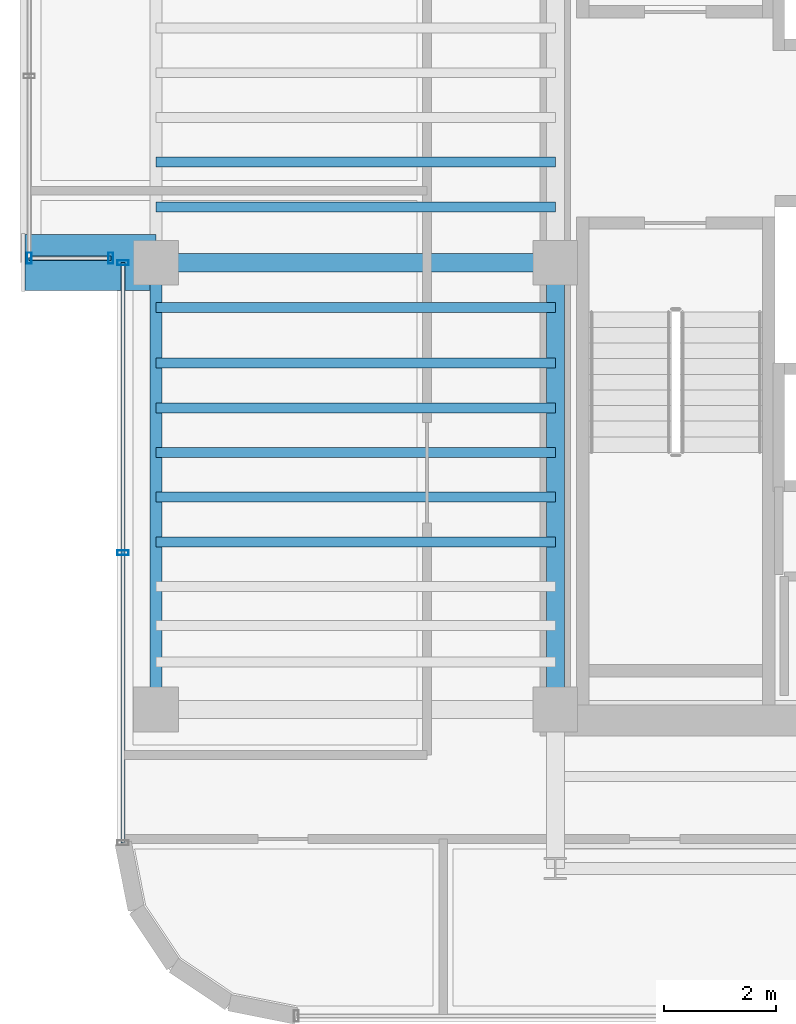
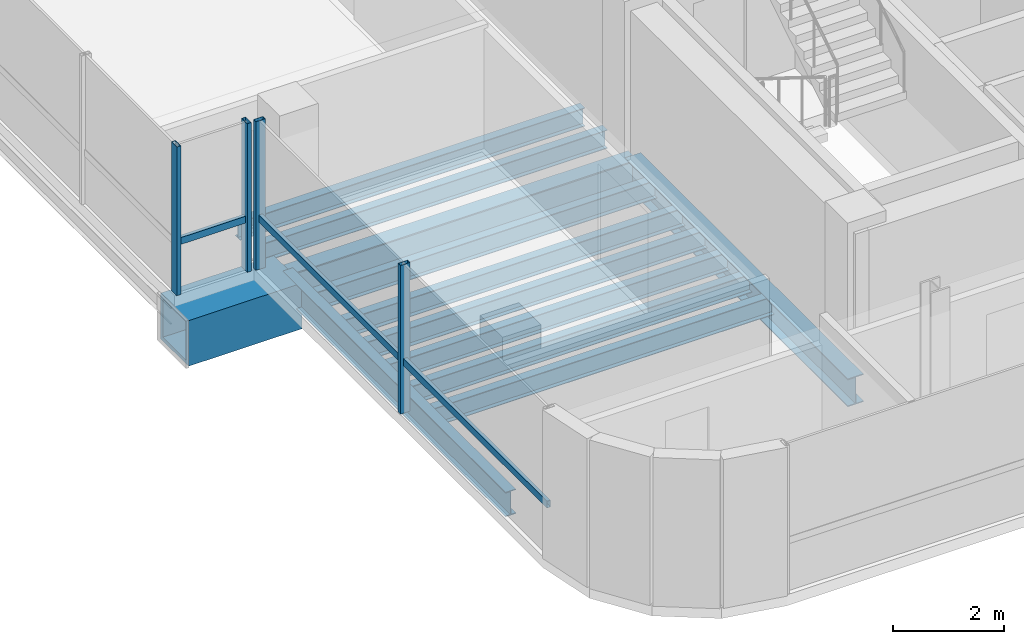
# One storey, part 4 of 18: 12 beams, 6 members, 2 elements without a shape of their own.
"""IFC4 building model written with IfcOpenShell, lengths in metres."""

from ifc_helpers import new_model, si_unit, direction, frame, origin, origin_2d, place, context, subcontext, project, spatial, hollow_rectangle, i_section, extrude, source, transform, mapped, material, material_profile, profile_set, type_object, element, aggregate, save


model = new_model("IFC4")

# Units and contexts
model_context = context("Model", 3, precision=1e-05, world=origin(), true_north=direction((0.0, 1.0)))
body_context = subcontext(model_context, "Body", "Model", "MODEL_VIEW")
ifc_project = project(units=[si_unit("LENGTHUNIT", "METRE"), si_unit("AREAUNIT", "SQUARE_METRE"), si_unit("VOLUMEUNIT", "CUBIC_METRE"), si_unit("PLANEANGLEUNIT", "RADIAN"), si_unit("MASSUNIT", "GRAM", prefix="KILO")], contexts=[model_context])

# Site, building, storey
site_placement = place(None, origin())
site = spatial("IfcSite", under=ifc_project, at=site_placement, CompositionType="ELEMENT")
building_placement = place(site_placement, origin())
building = spatial("IfcBuilding", under=site, at=building_placement, Name="Valdorenza Pilgrim Sanctuary Tower", CompositionType="ELEMENT")
storey_placement = place(building_placement, frame((0.0, 0.0, 273.0)))
storey = spatial("IfcBuildingStorey", under=building, at=storey_placement, Name="L71", CompositionType="ELEMENT", Elevation=273.0)

# Beams
ifc_material_1 = material(Name="Steel ASTM A992 Grade 50", Category="steel")
ifc_material_profile_1 = material_profile(ifc_material_1, i_section(OverallWidth=0.323974609375, OverallDepth=0.611083984375, WebThickness=0.0126953125, FlangeThickness=0.01904296875, at=origin_2d()), Name="W24X104")
ifc_profile_set_1 = profile_set([ifc_material_profile_1], Name="Steel ASTM A992 Grade 50")
beam_type_1 = type_object("IfcBeamType", Name="STR-BM-GRD-W24B", PredefinedType="BEAM", material=ifc_profile_set_1)
shared_shape_1 = source(origin(), body_context, "Body", "SweptSolid", [
    extrude(i_section(OverallWidth=0.323974609375, OverallDepth=0.611083984375, WebThickness=0.0126953125, FlangeThickness=0.01904296875, at=origin_2d()), origin(), (0.0, 0.0, 1.0), 8.0),
])
beam_1_placement = place(storey_placement, frame((-22.64990234375, -10.60009765625, -0.54541015625), z_axis=(0.0, 1.0, 0.0), x_axis=(-1.0, 0.0, 0.0)))
element("IfcBeam", 1, at=beam_1_placement, inside=storey, type_object=beam_type_1, Name="L71 Core Tie Girder CA-W-S1M0", PredefinedType="BEAM", context=body_context, shape_type="MappedRepresentation", body=[
    mapped(shared_shape_1, transform((0.0, 0.0, 0.0), x_axis=(1.0, 0.0, 0.0), y_axis=(0.0, 1.0, 0.0), z_axis=(0.0, 0.0, 1.0), scale=1.0)),
])
ifc_material_profile_2 = material_profile(ifc_material_1, i_section(OverallWidth=0.2109375, OverallDepth=0.5390625, WebThickness=0.01171875, FlangeThickness=0.018798828125, at=origin_2d()), Name="W21X73")
ifc_profile_set_2 = profile_set([ifc_material_profile_2], Name="Steel ASTM A992 Grade 50")
beam_type_2 = type_object("IfcBeamType", Name="STR-BM-SPN-W21B", PredefinedType="SPANDREL", material=ifc_profile_set_2)
shared_shape_2 = source(origin(), body_context, "Body", "SweptSolid", [
    extrude(i_section(OverallWidth=0.2109375, OverallDepth=0.5390625, WebThickness=0.01171875, FlangeThickness=0.018798828125, at=origin_2d()), origin(), (0.0, 0.0, 1.0), 8.0),
])
beam_2_placement = place(storey_placement, frame((-29.800048828125, -10.60009765625, -0.509521484375), z_axis=(0.0, 1.0, 0.0), x_axis=(-1.0, 0.0, 0.0)))
element("IfcBeam", 2, at=beam_2_placement, inside=storey, type_object=beam_type_2, Name="L71 Spandrel Beam WA-W-S1M0", PredefinedType="SPANDREL", context=body_context, shape_type="MappedRepresentation", body=[
    mapped(shared_shape_2, transform((0.0, 0.0, 0.0), x_axis=(1.0, 0.0, 0.0), y_axis=(0.0, 1.0, 0.0), z_axis=(0.0, 0.0, 1.0), scale=1.0)),
])
ifc_material_profile_3 = material_profile(ifc_material_1, i_section(OverallWidth=0.177978515625, OverallDepth=0.406005859375, WebThickness=0.0078125, FlangeThickness=0.0126953125, at=origin_2d()), Name="W16X40")
ifc_profile_set_3 = profile_set([ifc_material_profile_3], Name="Steel ASTM A992 Grade 50")
beam_type_3 = type_object("IfcBeamType", Name="STR-BM-JST-W16", PredefinedType="JOIST", material=ifc_profile_set_3)
shared_shape_3 = source(origin(), body_context, "Body", "SweptSolid", [
    extrude(i_section(OverallWidth=0.177978515625, OverallDepth=0.406005859375, WebThickness=0.0078125, FlangeThickness=0.0126953125, at=origin_2d()), origin(), (0.0, 0.0, 1.0), 7.150146484375),
])
for number, where, z_axis, x_axis, name in (
    (3, (-29.800048828125, -7.60009765625, -0.443115234375), (1.0, 0.0, 0.0), (0.0, 1.0, 0.0), "L71 Composite Floor Joist JST-WA-4"),
    (4, (-29.800048828125, -6.800048828125, -0.443115234375), (1.0, 0.0, 0.0), (0.0, 1.0, 0.0), "L71 Composite Floor Joist JST-WA-5"),
    (5, (-29.800048828125, -6.0, -0.443115234375), (1.0, 0.0, 0.0), (0.0, 1.0, 0.0), "L71 Composite Floor Joist JST-WA-6"),
    (6, (-29.800048828125, -5.199951171875, -0.443115234375), (1.0, 0.0, 0.0), (0.0, 1.0, 0.0), "L71 Composite Floor Joist JST-WA-7"),
    (7, (-29.800048828125, -4.39990234375, -0.443115234375), (1.0, 0.0, 0.0), (0.0, 1.0, 0.0), "L71 Composite Floor Joist JST-WA-8"),
    (8, (-29.800048828125, -3.39990234375, -0.443115234375), (1.0, 0.0, 0.0), (0.0, 1.0, 0.0), "L71 Composite Floor Joist JST-WA-9"),
    (9, (-29.800048828125, -1.60009765625, -0.443115234375), (1.0, 0.0, 0.0), (0.0, 1.0, 0.0), "L71 Composite Floor Joist JST-WA-10"),
    (10, (-29.800048828125, -0.800048828125, -0.443115234375), (1.0, 0.0, 0.0), (0.0, 1.0, 0.0), "L71 Composite Floor Joist JST-WA-11"),
):
    element("IfcBeam", number, at=place(storey_placement, frame(where, z_axis=z_axis, x_axis=x_axis)), inside=storey, type_object=beam_type_3, Name=name, PredefinedType="JOIST", context=body_context, shape_type="MappedRepresentation", body=[
        mapped(shared_shape_3, transform((0.0, 0.0, 0.0), x_axis=(1.0, 0.0, 0.0), y_axis=(0.0, 1.0, 0.0), z_axis=(0.0, 0.0, 1.0), scale=1.0)),
    ])
ifc_material_2 = material(Name="Steel ASTM A572 Grade 42", Category="steel")
ifc_material_profile_4 = material_profile(ifc_material_2, hollow_rectangle(XDim=1.0, YDim=1.0, WallThickness=0.080078125, at=origin_2d()), Name="BOX 1000x1000x80")
ifc_profile_set_4 = profile_set([ifc_material_profile_4], Name="Steel ASTM A572 Grade 42")
beam_type_4 = type_object("IfcBeamType", Name="STR-BM-PROW-CANT", PredefinedType="BEAM", material=ifc_profile_set_4)
shared_shape_4 = source(origin(), body_context, "Body", "SweptSolid", [
    extrude(hollow_rectangle(XDim=1.0, YDim=1.0, WallThickness=0.080078125, at=origin_2d()), origin(), (0.0, 0.0, 1.0), 2.349853515625),
])
beam_3_placement = place(storey_placement, frame((-29.800048828125, -2.60009765625, -0.739990234375), z_axis=(-1.0, 0.0, 0.0), x_axis=(0.0, -1.0, 0.0)))
element("IfcBeam", 11, at=beam_3_placement, inside=storey, type_object=beam_type_4, Name="L71 Glass Box Cantilever Beam BOX-WA-L71-CT-S", PredefinedType="BEAM", context=body_context, shape_type="MappedRepresentation", body=[
    mapped(shared_shape_4, transform((0.0, 0.0, 0.0), x_axis=(1.0, 0.0, 0.0), y_axis=(0.0, 1.0, 0.0), z_axis=(0.0, 0.0, 1.0), scale=1.0)),
])
ifc_material_profile_5 = material_profile(ifc_material_1, i_section(OverallWidth=0.326904296875, OverallDepth=0.6220703125, WebThickness=0.015380859375, FlangeThickness=0.0244140625, at=origin_2d()), Name="W24X131")
ifc_profile_set_5 = profile_set([ifc_material_profile_5], Name="Steel ASTM A992 Grade 50")
beam_type_5 = type_object("IfcBeamType", Name="STR-BM-GRD-W24A", PredefinedType="BEAM", material=ifc_profile_set_5)
shared_shape_5 = source(origin(), body_context, "Body", "SweptSolid", [
    extrude(i_section(OverallWidth=0.326904296875, OverallDepth=0.6220703125, WebThickness=0.015380859375, FlangeThickness=0.0244140625, at=origin_2d()), origin(), (0.0, 0.0, 1.0), 7.150146484375),
])
beam_4_placement = place(storey_placement, frame((-29.800048828125, -2.60009765625, -0.551025390625), z_axis=(1.0, 0.0, 0.0), x_axis=(0.0, 1.0, 0.0)))
element("IfcBeam", 12, at=beam_4_placement, inside=storey, type_object=beam_type_5, Name="L71 Floor Girder WA-XW-M0", PredefinedType="BEAM", context=body_context, shape_type="MappedRepresentation", body=[
    mapped(shared_shape_5, transform((0.0, 0.0, 0.0), x_axis=(1.0, 0.0, 0.0), y_axis=(0.0, 1.0, 0.0), z_axis=(0.0, 0.0, 1.0), scale=1.0)),
])

# Curtain wall, member
ifc_material_3 = material(Name="Curtain-wall IGU glazing", Category="glass")
curtain_wall_type = type_object("IfcCurtainWallType", Name="CW-SYS-02", PredefinedType="NOTDEFINED", material=ifc_material_3)
curtain_wall_1_placement = place(storey_placement, origin())
curtain_wall_1 = element("IfcCurtainWall", 13, at=curtain_wall_1_placement, inside=storey, type_object=curtain_wall_type, Name="L71 Curtain Wall CW-L71-BOX-WA-L71-S", PredefinedType="NOTDEFINED")
ifc_material_4 = material(Name="Anodised aluminium AW-6060", Category="aluminium")
ifc_material_profile_6 = material_profile(ifc_material_4, hollow_rectangle(XDim=0.074951171875, YDim=0.14990234375, WallThickness=0.00390625, at=origin_2d()), Name="ALU-T 150x75x4")
ifc_profile_set_6 = profile_set([ifc_material_profile_6], Name="Anodised aluminium AW-6060")
member_type_1 = type_object("IfcMemberType", Name="CW-TRN-02", PredefinedType="USERDEFINED", material=ifc_profile_set_6)
shared_shape_6 = source(origin(), body_context, "Body", "SweptSolid", [
    extrude(hollow_rectangle(XDim=0.074951171875, YDim=0.14990234375, WallThickness=0.00390625, at=origin_2d()), origin(), (0.0, 0.0, 1.0), 1.4599609375),
])
member_1_placement = place(storey_placement, frame((-30.610107421875, -2.52001953125, 1.1201171875), z_axis=(-1.0, 0.0, 0.0), x_axis=(0.0, -1.0, 0.0)))
member_1 = element("IfcMember", 14, at=member_1_placement, type_object=member_type_1, Name="CW-L71-BOX-WA-L71-S Transom 1", ObjectType="TRANSOM", PredefinedType="USERDEFINED", context=body_context, shape_type="MappedRepresentation", body=[
    mapped(shared_shape_6, transform((0.0, 0.0, 0.0), x_axis=(1.0, 0.0, 0.0), y_axis=(0.0, 1.0, 0.0), z_axis=(0.0, 0.0, 1.0), scale=1.0)),
])

# Curtain wall, members
curtain_wall_2_placement = place(storey_placement, origin())
curtain_wall_2 = element("IfcCurtainWall", 15, at=curtain_wall_2_placement, inside=storey, type_object=curtain_wall_type, Name="L71 Curtain Wall CW-L71-1-1S1", PredefinedType="NOTDEFINED")
ifc_material_profile_7 = material_profile(ifc_material_4, hollow_rectangle(XDim=0.0849609375, YDim=0.199951171875, WallThickness=0.0048828125, at=origin_2d()), Name="ALU-M 200x85x5")
ifc_profile_set_7 = profile_set([ifc_material_profile_7], Name="Anodised aluminium AW-6060")
member_type_2 = type_object("IfcMemberType", Name="CW-MUL-02", PredefinedType="MULLION", material=ifc_profile_set_7)
shared_shape_7 = source(origin(), body_context, "Body", "SweptSolid", [
    extrude(hollow_rectangle(XDim=0.0849609375, YDim=0.199951171875, WallThickness=0.0048828125, at=origin_2d()), origin(), (0.0, 0.0, 1.0), 3.260009765625),
])
member_2_placement = place(storey_placement, frame((-30.389892578125, -7.794677734375, 0.0), z_axis=(0.0, 0.0, 1.0), x_axis=(0.0, 1.0, 0.0)))
member_2 = element("IfcMember", 16, at=member_2_placement, type_object=member_type_2, Name="CW-L71-1-1S1 Mullion 2", PredefinedType="MULLION", context=body_context, shape_type="MappedRepresentation", body=[
    mapped(shared_shape_7, transform((0.0, 0.0, 0.0), x_axis=(1.0, 0.0, 0.0), y_axis=(0.0, 1.0, 0.0), z_axis=(0.0, 0.0, 1.0), scale=1.0)),
])
member_3_placement = place(storey_placement, frame((-30.389892578125, -2.60009765625, 0.0), z_axis=(0.0, 0.0, 1.0), x_axis=(0.0, 1.0, 0.0)))
member_3 = element("IfcMember", 17, at=member_3_placement, type_object=member_type_2, Name="CW-L71-1-1S1 Mullion 3", PredefinedType="MULLION", context=body_context, shape_type="MappedRepresentation", body=[
    mapped(shared_shape_7, transform((0.0, 0.0, 0.0), x_axis=(1.0, 0.0, 0.0), y_axis=(0.0, 1.0, 0.0), z_axis=(0.0, 0.0, 1.0), scale=1.0)),
])

# Member
member_4_placement = place(storey_placement, frame((-30.610107421875, -2.52001953125, 0.0), z_axis=(0.0, 0.0, 1.0), x_axis=(-1.0, 0.0, 0.0)))
member_4 = element("IfcMember", 18, at=member_4_placement, type_object=member_type_2, Name="CW-L71-BOX-WA-L71-S Mullion 1", PredefinedType="MULLION", context=body_context, shape_type="MappedRepresentation", body=[
    mapped(shared_shape_7, transform((0.0, 0.0, 0.0), x_axis=(1.0, 0.0, 0.0), y_axis=(0.0, 1.0, 0.0), z_axis=(0.0, 0.0, 1.0), scale=1.0)),
])

member_5_placement = place(storey_placement, frame((-32.070068359375, -2.52001953125, 0.0), z_axis=(0.0, 0.0, 1.0), x_axis=(-1.0, 0.0, 0.0)))
member_5 = element("IfcMember", 19, at=member_5_placement, type_object=member_type_2, Name="CW-L71-BOX-WA-L71-S Mullion 2", PredefinedType="MULLION", context=body_context, shape_type="MappedRepresentation", body=[
    mapped(shared_shape_7, transform((0.0, 0.0, 0.0), x_axis=(1.0, 0.0, 0.0), y_axis=(0.0, 1.0, 0.0), z_axis=(0.0, 0.0, 1.0), scale=1.0)),
])

aggregate(curtain_wall_1, [member_4, member_5, member_1])

shared_shape_8 = source(origin(), body_context, "Body", "SweptSolid", [
    extrude(hollow_rectangle(XDim=0.074951171875, YDim=0.14990234375, WallThickness=0.00390625, at=origin_2d()), origin(), (0.0, 0.0, 1.0), 10.38916015625),
])
member_6_placement = place(storey_placement, frame((-30.389892578125, -12.9892578125, 1.1201171875), z_axis=(0.0, 1.0, 0.0), x_axis=(-1.0, 0.0, 0.0)))
member_6 = element("IfcMember", 20, at=member_6_placement, type_object=member_type_1, Name="CW-L71-1-1S1 Transom 1", ObjectType="TRANSOM", PredefinedType="USERDEFINED", context=body_context, shape_type="MappedRepresentation", body=[
    mapped(shared_shape_8, transform((0.0, 0.0, 0.0), x_axis=(1.0, 0.0, 0.0), y_axis=(0.0, 1.0, 0.0), z_axis=(0.0, 0.0, 1.0), scale=1.0)),
])

aggregate(curtain_wall_2, [member_2, member_3, member_6])

save(model, "model.ifc")
